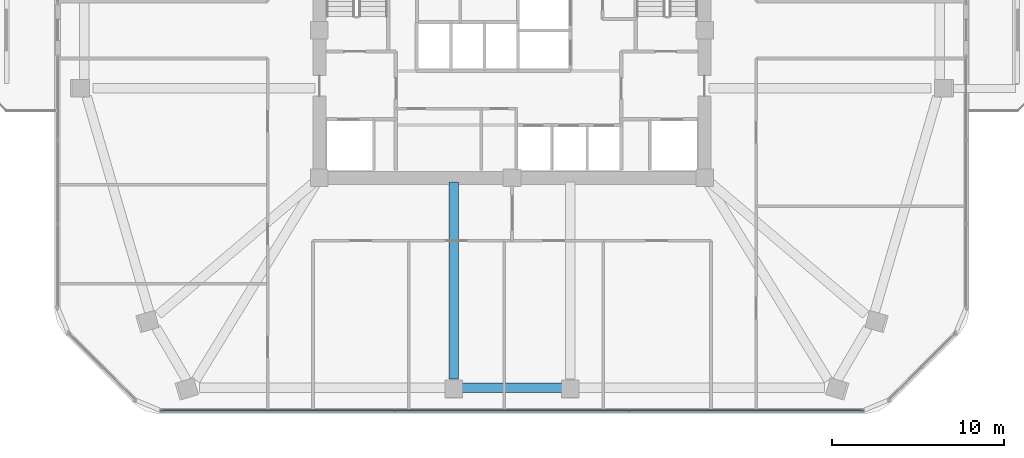
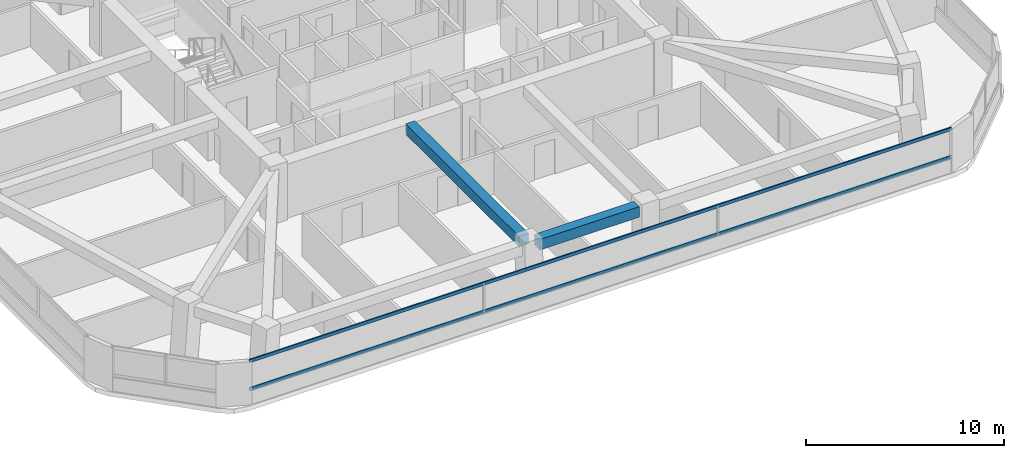
# One storey, part 3 of 15: 2 beams, 2 members, 1 element without a shape of its own.
"""IFC4 building model written with IfcOpenShell, lengths in metres."""

from ifc_helpers import new_model, si_unit, derived_unit, direction, frame, origin, origin_2d, place, context, subcontext, project, spatial, rectangle, extrude, material, material_profile, profile_set, type_object, element, aggregate, save


model = new_model("IFC4")

# Units and contexts
model_context = context("Model", 3, precision=1e-05, world=origin(), true_north=direction((0.0, 1.0)))
body_context = subcontext(model_context, "Body", "Model", "MODEL_VIEW")
ifc_project = project(units=[si_unit("LENGTHUNIT", "METRE"), si_unit("AREAUNIT", "SQUARE_METRE"), si_unit("VOLUMEUNIT", "CUBIC_METRE"), si_unit("PLANEANGLEUNIT", "RADIAN"), si_unit("MASSUNIT", "GRAM", prefix="KILO"), derived_unit("THERMALTRANSMITTANCEUNIT", [(si_unit("POWERUNIT", "WATT"), 1), (si_unit("LENGTHUNIT", "METRE"), -2), (si_unit("THERMODYNAMICTEMPERATUREUNIT", "KELVIN"), -1)])], contexts=[model_context])

# Site, building, storey
site_placement = place(None, origin())
site = spatial("IfcSite", under=ifc_project, at=site_placement, CompositionType="ELEMENT")
building_placement = place(site_placement, origin())
building = spatial("IfcBuilding", under=site, at=building_placement, Name="Koralith Skygarden Medical Center", CompositionType="ELEMENT")
storey_placement = place(building_placement, frame((0.0, 0.0, 91.97998046875)))
storey = spatial("IfcBuildingStorey", under=building, at=storey_placement, Name="L23", CompositionType="ELEMENT", Elevation=91.97998046875)

# Curtain wall, members
ifc_material_1 = material(Name="Clear Laminated Glass", Category="glass")
curtain_wall_type = type_object("IfcCurtainWallType", Name="CW-3 Zone 2 Faceted Solar Curtain Wall", PredefinedType="NOTDEFINED", material=ifc_material_1)
curtain_wall_placement = place(storey_placement, origin())
curtain_wall = element("IfcCurtainWall", 1, at=curtain_wall_placement, inside=storey, type_object=curtain_wall_type, Name="Curtain Wall CW-L23-S", PredefinedType="NOTDEFINED")
ifc_material_2 = material(Name="Aluminium 6063-T6", Category="aluminium")
ifc_material_profile_1 = material_profile(ifc_material_2, rectangle(XDim=0.069091796875, YDim=0.197998046875, at=origin_2d()), Name="TRN69X198")
ifc_profile_set_1 = profile_set([ifc_material_profile_1], Name="Aluminium 6063-T6")
member_type = type_object("IfcMemberType", Name="CW-3 Thermal Transom 69x198", PredefinedType="USERDEFINED", material=ifc_profile_set_1)
member_1_placement = place(storey_placement, frame((16.55810546875, 3.76806640625, 0.89990234375), z_axis=(1.0, 0.0, 0.0), x_axis=(0.0, 1.0, 0.0)))
member_1 = element("IfcMember", 2, at=member_1_placement, type_object=member_type, Name="CW-L23-S Transom 1", ObjectType="TRANSOM", PredefinedType="USERDEFINED", context=body_context, shape_type="SweptSolid", body=[
    extrude(rectangle(XDim=0.069091796875, YDim=0.197998046875, at=origin_2d()), origin(), (0.0, 0.0, 1.0), 40.8837890625),
])
member_2_placement = place(storey_placement, frame((16.55810546875, 3.76806640625, 2.6201171875), z_axis=(1.0, 0.0, 0.0), x_axis=(0.0, 1.0, 0.0)))
member_2 = element("IfcMember", 3, at=member_2_placement, type_object=member_type, Name="CW-L23-S Transom 2", ObjectType="TRANSOM", PredefinedType="USERDEFINED", context=body_context, shape_type="SweptSolid", body=[
    extrude(rectangle(XDim=0.069091796875, YDim=0.197998046875, at=origin_2d()), origin(), (0.0, 0.0, 1.0), 40.8837890625),
])
aggregate(curtain_wall, [member_1, member_2])

# Beams
ifc_material_3 = material(Name="Concrete C45/55", Category="concrete")
ifc_material_profile_2 = material_profile(ifc_material_3, rectangle(XDim=0.550048828125, YDim=0.639892578125, at=origin_2d()), Name="RCB550X640")
ifc_profile_set_2 = profile_set([ifc_material_profile_2], Name="Concrete C45/55")
beam_type_1 = type_object("IfcBeamType", Name="Radial Collector Beam RCB550X640", PredefinedType="BEAM", material=ifc_profile_set_2)
beam_1_placement = place(storey_placement, frame((33.60009765625, 17.050048828125, 3.0), z_axis=(0.0, -1.0, 0.0), x_axis=(1.0, 0.0, 0.0)))
element("IfcBeam", 4, at=beam_1_placement, inside=storey, type_object=beam_type_1, Name="L23 Radial Collector Beam RB-04", PredefinedType="BEAM", context=body_context, shape_type="SweptSolid", body=[
    extrude(rectangle(XDim=0.550048828125, YDim=0.639892578125, at=origin_2d()), origin(), (0.0, 0.0, 1.0), 11.453125),
])
ifc_material_profile_3 = material_profile(ifc_material_3, rectangle(XDim=0.550048828125, YDim=0.639892578125, at=origin_2d()), Name="RCB550X640")
ifc_profile_set_3 = profile_set([ifc_material_profile_3], Name="Concrete C45/55")
beam_type_2 = type_object("IfcBeamType", Name="Zone 2-3 Spandrel Beam RCB550X640", PredefinedType="SPANDREL", material=ifc_profile_set_3)
beam_2_placement = place(storey_placement, frame((34.10009765625, 5.096923828125, 3.0), z_axis=(1.0, 0.0, 0.0), x_axis=(0.0, 1.0, 0.0)))
element("IfcBeam", 5, at=beam_2_placement, inside=storey, type_object=beam_type_2, Name="L23 Perimeter Spandrel Beam SP-04", PredefinedType="SPANDREL", context=body_context, shape_type="SweptSolid", body=[
    extrude(rectangle(XDim=0.550048828125, YDim=0.639892578125, at=origin_2d()), origin(), (0.0, 0.0, 1.0), 5.7998046875),
])

save(model, "model.ifc")
